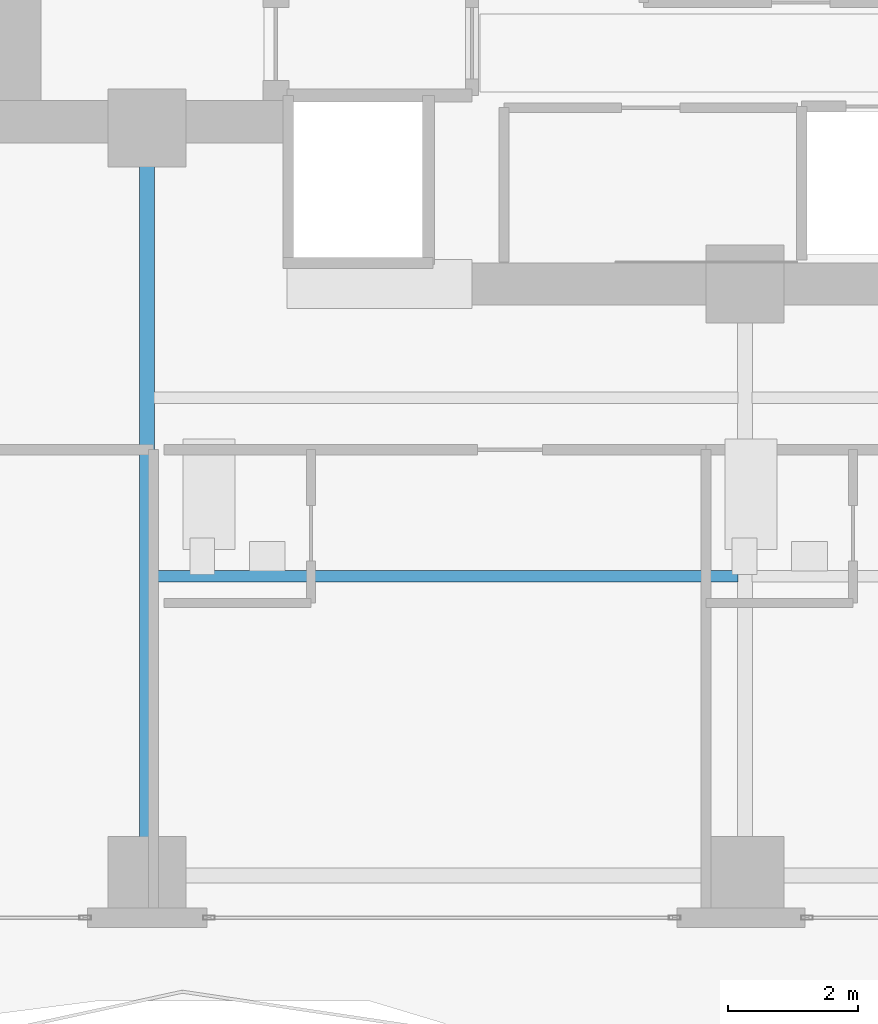
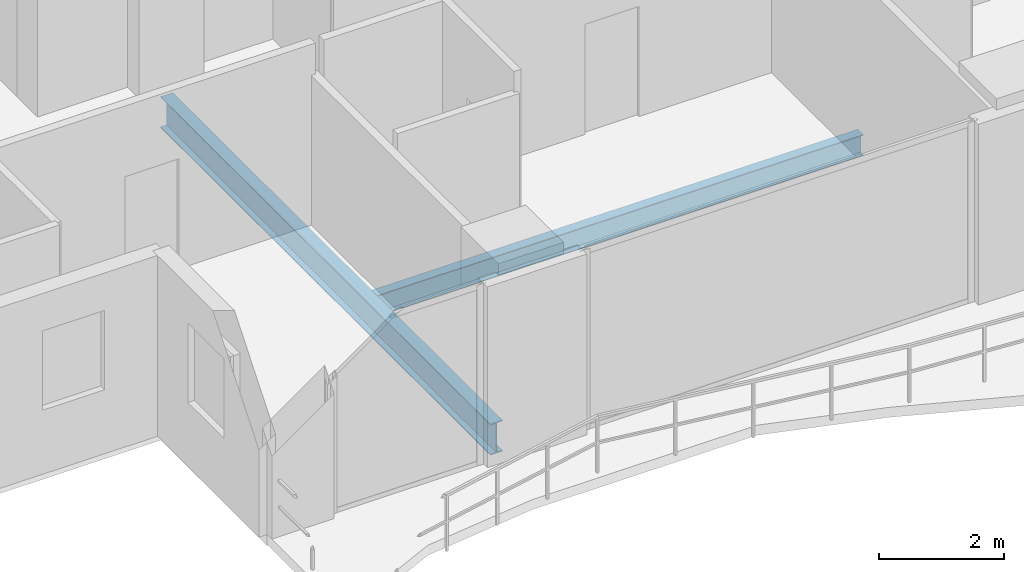
# One storey, part 3 of 32: 2 beams.
"""IFC4 building model written with IfcOpenShell, lengths in metres."""

from ifc_helpers import new_model, si_unit, direction, frame, origin, origin_2d, place, context, subcontext, project, spatial, i_section, extrude, material, material_profile, profile_set, type_object, element, save


model = new_model("IFC4")

# Units and contexts
model_context = context("Model", 3, precision=1e-05, world=origin(), true_north=direction((0.0, 1.0)))
body_context = subcontext(model_context, "Body", "Model", "MODEL_VIEW")
ifc_project = project(units=[si_unit("LENGTHUNIT", "METRE"), si_unit("AREAUNIT", "SQUARE_METRE"), si_unit("VOLUMEUNIT", "CUBIC_METRE"), si_unit("PLANEANGLEUNIT", "RADIAN"), si_unit("MASSUNIT", "GRAM", prefix="KILO")], contexts=[model_context])

# Site, building, storey
site_placement = place(None, origin())
site = spatial("IfcSite", under=ifc_project, at=site_placement, CompositionType="ELEMENT")
building_placement = place(site_placement, origin())
building = spatial("IfcBuilding", under=site, at=building_placement, Name="Zuhayl Quay Hotel", CompositionType="ELEMENT")
storey_placement = place(building_placement, frame((0.0, 0.0, 177.39990234375)))
storey = spatial("IfcBuildingStorey", under=building, at=storey_placement, Name="L44", CompositionType="ELEMENT", Elevation=177.39990234375)

# Beams
ifc_material = material(Name="Steel ASTM A992 Grade 50", Category="steel")
ifc_material_profile_1 = material_profile(ifc_material, i_section(OverallWidth=0.22802734375, OverallDepth=0.60693359375, WebThickness=0.01123046875, FlangeThickness=0.017333984375, at=origin_2d()), Name="W24X76")
ifc_profile_set_1 = profile_set([ifc_material_profile_1], Name="Steel ASTM A992 Grade 50")
beam_type_1 = type_object("IfcBeamType", Name="BM_B3_W24X76", PredefinedType="BEAM", material=ifc_profile_set_1)
beam_1_placement = place(storey_placement, frame((-13.800048828125, -6.449951171875, -0.5234375), z_axis=(0.0, 1.0, 0.0), x_axis=(-1.0, 0.0, 0.0)))
element("IfcBeam", 1, at=beam_1_placement, inside=storey, type_object=beam_type_1, Name="L44 Floor Beam FG_S_L44_1", PredefinedType="BEAM", context=body_context, shape_type="SweptSolid", body=[
    extrude(i_section(OverallWidth=0.22802734375, OverallDepth=0.60693359375, WebThickness=0.01123046875, FlangeThickness=0.017333984375, at=origin_2d()), origin(), (0.0, 0.0, 1.0), 10.550048828125),
])
ifc_material_profile_2 = material_profile(ifc_material, i_section(OverallWidth=0.177978515625, OverallDepth=0.406005859375, WebThickness=0.0078125, FlangeThickness=0.0126953125, at=origin_2d()), Name="W16X40")
ifc_profile_set_2 = profile_set([ifc_material_profile_2], Name="Steel ASTM A992 Grade 50")
beam_type_2 = type_object("IfcBeamType", Name="BM_J2B_W16X40", PredefinedType="JOIST", material=ifc_profile_set_2)
beam_2_placement = place(storey_placement, frame((-13.694091796875, -2.35009765625, -0.4228515625), z_axis=(1.0, 0.0, 0.0), x_axis=(0.0, 1.0, 0.0)))
element("IfcBeam", 2, at=beam_2_placement, inside=storey, type_object=beam_type_2, Name="L44 Floor Beam FJ_L44_7_1", PredefinedType="JOIST", context=body_context, shape_type="SweptSolid", body=[
    extrude(i_section(OverallWidth=0.177978515625, OverallDepth=0.406005859375, WebThickness=0.0078125, FlangeThickness=0.0126953125, at=origin_2d()), origin(), (0.0, 0.0, 1.0), 8.988037109375),
])

save(model, "model.ifc")
